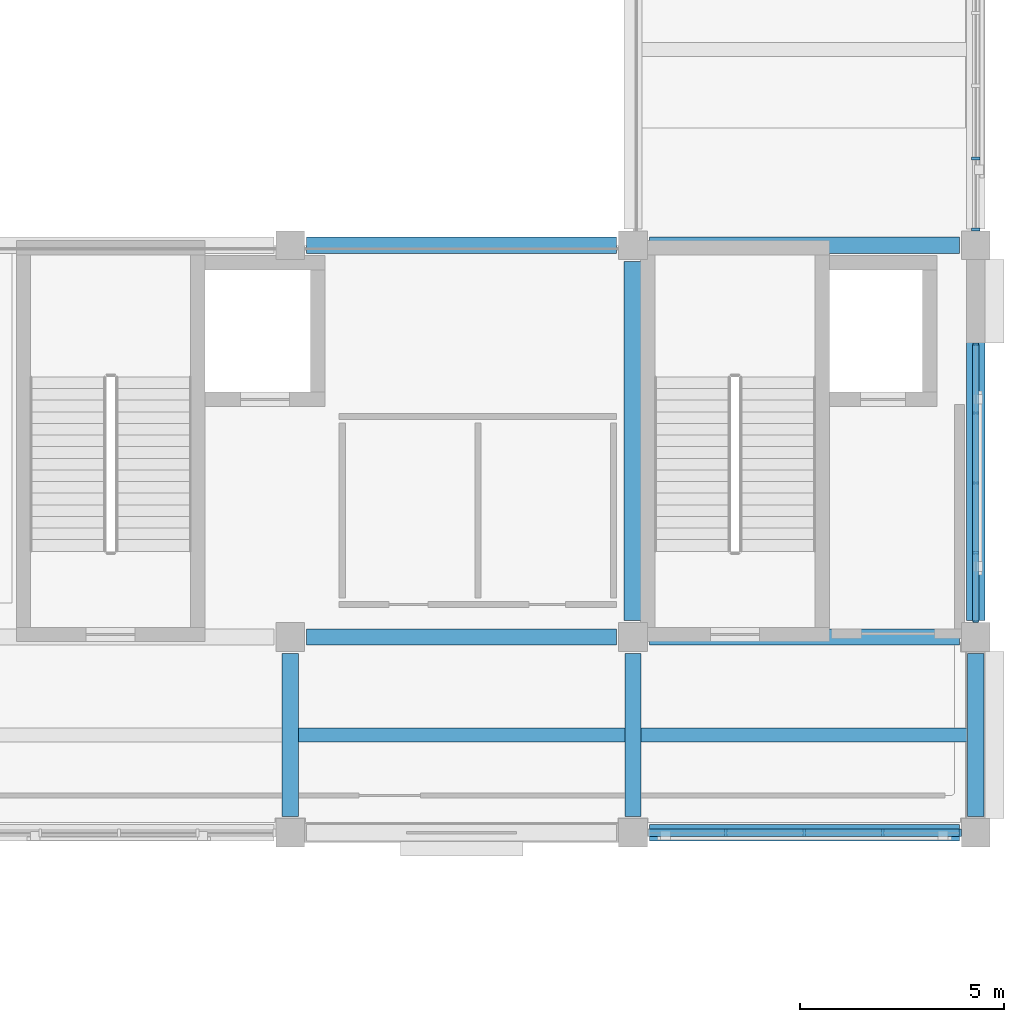
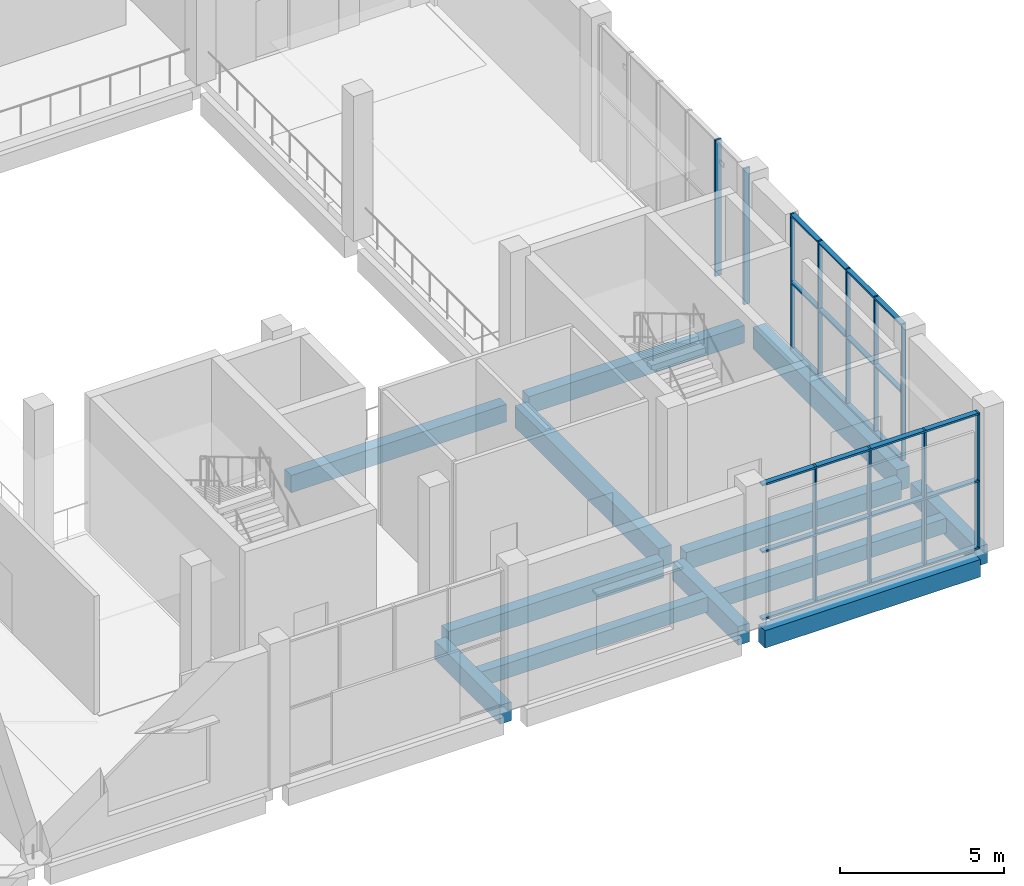
# One storey, part 37 of 83: 17 members, 12 beams, 3 elements without a shape of their own.
"""IFC4 building model written with IfcOpenShell, lengths in metres."""

from ifc_helpers import new_model, si_unit, direction, frame, origin, origin_2d, place, context, subcontext, project, spatial, rectangle, extrude, material, material_profile, profile_set, type_object, element, aggregate, save


model = new_model("IFC4")

# Units and contexts
model_context = context("Model", 3, precision=1e-05, world=origin(), true_north=direction((0.0, 1.0)))
body_context = subcontext(model_context, "Body", "Model", "MODEL_VIEW")
ifc_project = project(units=[si_unit("LENGTHUNIT", "METRE"), si_unit("AREAUNIT", "SQUARE_METRE"), si_unit("VOLUMEUNIT", "CUBIC_METRE"), si_unit("PLANEANGLEUNIT", "RADIAN"), si_unit("MASSUNIT", "GRAM", prefix="KILO")], contexts=[model_context])

# Site, building, storey
site_placement = place(None, origin())
site = spatial("IfcSite", under=ifc_project, at=site_placement, CompositionType="ELEMENT")
building_placement = place(site_placement, origin())
building = spatial("IfcBuilding", under=site, at=building_placement, Name="Shalvenor Court Art Gallery", CompositionType="ELEMENT")
storey_placement = place(building_placement, frame((0.0, 0.0, 6.0)))
storey = spatial("IfcBuildingStorey", under=building, at=storey_placement, Name="L01", CompositionType="ELEMENT", Elevation=6.0)

# Beams
ifc_material_1 = material(Name="Concrete C40/50", Category="concrete")
ifc_material_profile_1 = material_profile(ifc_material_1, rectangle(XDim=0.449951171875, YDim=0.800048828125, at=origin_2d()), Name="RC 450x800")
ifc_profile_set_1 = profile_set([ifc_material_profile_1], Name="Concrete C40/50")
beam_type_1 = type_object("IfcBeamType", Name="B-03", PredefinedType="BEAM", material=ifc_profile_set_1)
for number, where, z_axis, x_axis, name in (
    (1, (168.0, 50.800048828125, -0.719970703125), (0.0, 1.0, 0.0), (-1.0, 0.0, 0.0), "L01 Girder BM-L01-B-03-0476"),
    (2, (176.39990234375, 50.800048828125, -0.719970703125), (0.0, 1.0, 0.0), (-1.0, 0.0, 0.0), "L01 Girder BM-L01-B-03-0482"),
):
    element("IfcBeam", number, at=place(storey_placement, frame(where, z_axis=z_axis, x_axis=x_axis)), inside=storey, type_object=beam_type_1, Name=name, PredefinedType="BEAM", context=body_context, shape_type="SweptSolid", body=[
        extrude(rectangle(XDim=0.449951171875, YDim=0.800048828125, at=origin_2d()), origin(), (0.0, 0.0, 1.0), 8.800048828125),
    ])
ifc_material_2 = material(Name="Concrete C40/50", Category="concrete")
ifc_material_profile_2 = material_profile(ifc_material_2, rectangle(XDim=0.39990234375, YDim=0.699951171875, at=origin_2d()), Name="RC 400x700")
ifc_profile_set_2 = profile_set([ifc_material_profile_2], Name="Concrete C40/50")
beam_type_2 = type_object("IfcBeamType", Name="B-05", PredefinedType="BEAM", material=ifc_profile_set_2)
for number, where, z_axis, x_axis, name in (
    (3, (159.60009765625, 46.0, -0.669921875), (0.0, 1.0, 0.0), (-1.0, 0.0, 0.0), "L01 Girder BM-L01-B-05-0472"),
    (4, (168.0, 46.0, -0.669921875), (0.0, 1.0, 0.0), (-1.0, 0.0, 0.0), "L01 Girder BM-L01-B-05-0475"),
    (5, (176.39990234375, 46.0, -0.669921875), (0.0, 1.0, 0.0), (-1.0, 0.0, 0.0), "L01 Girder BM-L01-B-05-0481"),
):
    element("IfcBeam", number, at=place(storey_placement, frame(where, z_axis=z_axis, x_axis=x_axis)), inside=storey, type_object=beam_type_2, Name=name, PredefinedType="BEAM", context=body_context, shape_type="SweptSolid", body=[
        extrude(rectangle(XDim=0.39990234375, YDim=0.699951171875, at=origin_2d()), origin(), (0.0, 0.0, 1.0), 4.0),
    ])
ifc_material_3 = material(Name="Concrete C40/50", Category="concrete")
ifc_material_profile_3 = material_profile(ifc_material_3, rectangle(XDim=0.39990234375, YDim=0.64990234375, at=origin_2d()), Name="RC 400x650")
ifc_profile_set_3 = profile_set([ifc_material_profile_3], Name="Concrete C40/50")
beam_type_3 = type_object("IfcBeamType", Name="B-06", PredefinedType="BEAM", material=ifc_profile_set_3)
for number, where, z_axis, x_axis, name in (
    (6, (168.39990234375, 45.60009765625, -0.64501953125), (1.0, 0.0, 0.0), (0.0, 1.0, 0.0), "L01 Girder BM-L01-B-06-0541"),
    (7, (160.0, 50.39990234375, -0.64501953125), (1.0, 0.0, 0.0), (0.0, 1.0, 0.0), "L01 Girder BM-L01-B-06-0546"),
    (8, (168.39990234375, 50.39990234375, -0.64501953125), (1.0, 0.0, 0.0), (0.0, 1.0, 0.0), "L01 Girder BM-L01-B-06-0547"),
    (9, (160.0, 60.0, -0.64501953125), (1.0, 0.0, 0.0), (0.0, 1.0, 0.0), "L01 Girder BM-L01-B-06-0554"),
    (10, (168.39990234375, 60.0, -0.64501953125), (1.0, 0.0, 0.0), (0.0, 1.0, 0.0), "L01 Girder BM-L01-B-06-0555"),
):
    element("IfcBeam", number, at=place(storey_placement, frame(where, z_axis=z_axis, x_axis=x_axis)), inside=storey, type_object=beam_type_3, Name=name, PredefinedType="BEAM", context=body_context, shape_type="SweptSolid", body=[
        extrude(rectangle(XDim=0.39990234375, YDim=0.64990234375, at=origin_2d()), origin(), (0.0, 0.0, 1.0), 7.60009765625),
    ])

# Curtain wall, members
ifc_material_4 = material(Name="Anodised aluminium and low-iron glass curtain wall", Category="aluminium")
curtain_wall_type_1 = type_object("IfcCurtainWallType", Name="CW-4x2-77-51-142", PredefinedType="USERDEFINED", material=ifc_material_4)
curtain_wall_1_placement = place(storey_placement, origin())
curtain_wall_1 = element("IfcCurtainWall", 11, at=curtain_wall_1_placement, inside=storey, type_object=curtain_wall_type_1, Name="L01 V1 Curtain Wall CW-L01-008", ObjectType="CURTAIN WALL", PredefinedType="USERDEFINED")
ifc_material_5 = material(Name="Anodised aluminium mullion", Category="aluminium")
ifc_material_profile_4 = material_profile(ifc_material_5, rectangle(XDim=0.06494140625, YDim=0.179931640625, at=origin_2d()), Name="CWM-01")
ifc_profile_set_4 = profile_set([ifc_material_profile_4], Name="Anodised aluminium mullion")
member_type_1 = type_object("IfcMemberType", Name="CWM-01", PredefinedType="MULLION", material=ifc_profile_set_4)
member_1_placement = place(storey_placement, frame((176.017578125, 45.60009765625, 0.0), z_axis=(0.0, 0.0, 1.0), x_axis=(-1.0, 0.0, 0.0)))
member_1 = element("IfcMember", 12, at=member_1_placement, type_object=member_type_1, Name="CW-4x2-77-51-142 mullion 1", PredefinedType="MULLION", context=body_context, shape_type="SweptSolid", body=[
    extrude(rectangle(XDim=0.06494140625, YDim=0.179931640625, at=origin_2d()), origin(), (0.0, 0.0, 1.0), 5.080078125),
])
member_2_placement = place(storey_placement, frame((174.125, 45.60009765625, 0.0), z_axis=(0.0, 0.0, 1.0), x_axis=(-1.0, 0.0, 0.0)))
member_2 = element("IfcMember", 13, at=member_2_placement, type_object=member_type_1, Name="CW-4x2-77-51-142 mullion 2", PredefinedType="MULLION", context=body_context, shape_type="SweptSolid", body=[
    extrude(rectangle(XDim=0.06494140625, YDim=0.179931640625, at=origin_2d()), origin(), (0.0, 0.0, 1.0), 5.080078125),
])
member_3_placement = place(storey_placement, frame((172.199951171875, 45.60009765625, 0.0), z_axis=(0.0, 0.0, 1.0), x_axis=(-1.0, 0.0, 0.0)))
member_3 = element("IfcMember", 14, at=member_3_placement, type_object=member_type_1, Name="CW-4x2-77-51-142 mullion 3", PredefinedType="MULLION", context=body_context, shape_type="SweptSolid", body=[
    extrude(rectangle(XDim=0.06494140625, YDim=0.179931640625, at=origin_2d()), origin(), (0.0, 0.0, 1.0), 5.080078125),
])
member_4_placement = place(storey_placement, frame((170.27490234375, 45.60009765625, 0.0), z_axis=(0.0, 0.0, 1.0), x_axis=(-1.0, 0.0, 0.0)))
member_4 = element("IfcMember", 15, at=member_4_placement, type_object=member_type_1, Name="CW-4x2-77-51-142 mullion 4", PredefinedType="MULLION", context=body_context, shape_type="SweptSolid", body=[
    extrude(rectangle(XDim=0.06494140625, YDim=0.179931640625, at=origin_2d()), origin(), (0.0, 0.0, 1.0), 5.080078125),
])

ifc_material_6 = material(Name="Anodised aluminium and low-iron glass curtain wall", Category="aluminium")
curtain_wall_type_2 = type_object("IfcCurtainWallType", Name="CW-5x2-89-51-412", PredefinedType="USERDEFINED", material=ifc_material_6)
curtain_wall_2_placement = place(storey_placement, origin())
curtain_wall_2 = element("IfcCurtainWall", 16, at=curtain_wall_2_placement, inside=storey, type_object=curtain_wall_type_2, Name="L01 V1 Curtain Wall CW-L01-006", ObjectType="CURTAIN WALL", PredefinedType="USERDEFINED")
ifc_material_7 = material(Name="Anodised aluminium mullion", Category="aluminium")
ifc_material_profile_5 = material_profile(ifc_material_7, rectangle(XDim=0.074951171875, YDim=0.219970703125, at=origin_2d()), Name="CWM-04")
ifc_profile_set_5 = profile_set([ifc_material_profile_5], Name="Anodised aluminium mullion")
member_type_2 = type_object("IfcMemberType", Name="CWM-04", PredefinedType="MULLION", material=ifc_profile_set_5)
member_5_placement = place(storey_placement, frame((176.39990234375, 62.1298828125, 0.0), z_axis=(0.0, 0.0, 1.0), x_axis=(0.0, -1.0, 0.0)))
member_5 = element("IfcMember", 17, at=member_5_placement, type_object=member_type_2, Name="CW-5x2-89-51-412 mullion 5", PredefinedType="MULLION", context=body_context, shape_type="SweptSolid", body=[
    extrude(rectangle(XDim=0.074951171875, YDim=0.219970703125, at=origin_2d()), origin(), (0.0, 0.0, 1.0), 5.080078125),
])
member_6_placement = place(storey_placement, frame((176.39990234375, 60.387451171875, 0.0), z_axis=(0.0, 0.0, 1.0), x_axis=(0.0, -1.0, 0.0)))
member_6 = element("IfcMember", 18, at=member_6_placement, type_object=member_type_2, Name="CW-5x2-89-51-412 mullion 6", PredefinedType="MULLION", context=body_context, shape_type="SweptSolid", body=[
    extrude(rectangle(XDim=0.074951171875, YDim=0.219970703125, at=origin_2d()), origin(), (0.0, 0.0, 1.0), 5.080078125),
])
aggregate(curtain_wall_2, [member_5, member_6])

ifc_material_8 = material(Name="Anodised aluminium and low-iron glass curtain wall", Category="aluminium")
curtain_wall_type_3 = type_object("IfcCurtainWallType", Name="CW-4x2-68-51-622", PredefinedType="USERDEFINED", material=ifc_material_8)
curtain_wall_3_placement = place(storey_placement, origin())
curtain_wall_3 = element("IfcCurtainWall", 19, at=curtain_wall_3_placement, inside=storey, type_object=curtain_wall_type_3, Name="L01 V1 Curtain Wall CW-L01-007", ObjectType="CURTAIN WALL", PredefinedType="USERDEFINED")
ifc_material_9 = material(Name="Anodised aluminium mullion", Category="aluminium")
ifc_material_profile_6 = material_profile(ifc_material_9, rectangle(XDim=0.054931640625, YDim=0.139892578125, at=origin_2d()), Name="CWM-06")
ifc_profile_set_6 = profile_set([ifc_material_profile_6], Name="Anodised aluminium mullion")
member_type_3 = type_object("IfcMemberType", Name="CWM-06", PredefinedType="MULLION", material=ifc_profile_set_6)
member_7_placement = place(storey_placement, frame((176.39990234375, 57.572509765625, 0.0), z_axis=(0.0, 0.0, 1.0), x_axis=(0.0, -1.0, 0.0)))
member_7 = element("IfcMember", 20, at=member_7_placement, type_object=member_type_3, Name="CW-4x2-68-51-622 mullion 1", PredefinedType="MULLION", context=body_context, shape_type="SweptSolid", body=[
    extrude(rectangle(XDim=0.054931640625, YDim=0.139892578125, at=origin_2d()), origin(), (0.0, 0.0, 1.0), 5.080078125),
])
member_8_placement = place(storey_placement, frame((176.39990234375, 55.887451171875, 0.0), z_axis=(0.0, 0.0, 1.0), x_axis=(0.0, -1.0, 0.0)))
member_8 = element("IfcMember", 21, at=member_8_placement, type_object=member_type_3, Name="CW-4x2-68-51-622 mullion 2", PredefinedType="MULLION", context=body_context, shape_type="SweptSolid", body=[
    extrude(rectangle(XDim=0.054931640625, YDim=0.139892578125, at=origin_2d()), origin(), (0.0, 0.0, 1.0), 5.080078125),
])
member_9_placement = place(storey_placement, frame((176.39990234375, 54.175048828125, 0.0), z_axis=(0.0, 0.0, 1.0), x_axis=(0.0, -1.0, 0.0)))
member_9 = element("IfcMember", 22, at=member_9_placement, type_object=member_type_3, Name="CW-4x2-68-51-622 mullion 3", PredefinedType="MULLION", context=body_context, shape_type="SweptSolid", body=[
    extrude(rectangle(XDim=0.054931640625, YDim=0.139892578125, at=origin_2d()), origin(), (0.0, 0.0, 1.0), 5.080078125),
])
member_10_placement = place(storey_placement, frame((176.39990234375, 52.46240234375, 0.0), z_axis=(0.0, 0.0, 1.0), x_axis=(0.0, -1.0, 0.0)))
member_10 = element("IfcMember", 23, at=member_10_placement, type_object=member_type_3, Name="CW-4x2-68-51-622 mullion 4", PredefinedType="MULLION", context=body_context, shape_type="SweptSolid", body=[
    extrude(rectangle(XDim=0.054931640625, YDim=0.139892578125, at=origin_2d()), origin(), (0.0, 0.0, 1.0), 5.080078125),
])
member_11_placement = place(storey_placement, frame((176.39990234375, 50.777587890625, 0.0), z_axis=(0.0, 0.0, 1.0), x_axis=(0.0, -1.0, 0.0)))
member_11 = element("IfcMember", 24, at=member_11_placement, type_object=member_type_3, Name="CW-4x2-68-51-622 mullion 5", PredefinedType="MULLION", context=body_context, shape_type="SweptSolid", body=[
    extrude(rectangle(XDim=0.054931640625, YDim=0.139892578125, at=origin_2d()), origin(), (0.0, 0.0, 1.0), 5.080078125),
])
ifc_material_10 = material(Name="Anodised aluminium transom", Category="aluminium")
ifc_material_profile_7 = material_profile(ifc_material_10, rectangle(XDim=0.169921875, YDim=0.06494140625, at=origin_2d()), Name="CWT-02")
ifc_profile_set_7 = profile_set([ifc_material_profile_7], Name="Anodised aluminium transom")
member_type_4 = type_object("IfcMemberType", Name="CWT-02", PredefinedType="USERDEFINED", material=ifc_profile_set_7)
member_12_placement = place(storey_placement, frame((176.39990234375, 57.572509765625, 0.032470703125), z_axis=(0.0, -1.0, 0.0), x_axis=(1.0, 0.0, 0.0)))
member_12 = element("IfcMember", 25, at=member_12_placement, type_object=member_type_4, Name="CW-4x2-68-51-622 transom 1", ObjectType="TRANSOM", PredefinedType="USERDEFINED", context=body_context, shape_type="SweptSolid", body=[
    extrude(rectangle(XDim=0.169921875, YDim=0.06494140625, at=origin_2d()), origin(), (0.0, 0.0, 1.0), 6.794921875),
])
member_13_placement = place(storey_placement, frame((176.39990234375, 57.572509765625, 2.5400390625), z_axis=(0.0, -1.0, 0.0), x_axis=(1.0, 0.0, 0.0)))
member_13 = element("IfcMember", 26, at=member_13_placement, type_object=member_type_4, Name="CW-4x2-68-51-622 transom 2", ObjectType="TRANSOM", PredefinedType="USERDEFINED", context=body_context, shape_type="SweptSolid", body=[
    extrude(rectangle(XDim=0.169921875, YDim=0.06494140625, at=origin_2d()), origin(), (0.0, 0.0, 1.0), 6.794921875),
])
member_14_placement = place(storey_placement, frame((176.39990234375, 57.572509765625, 5.047607421875), z_axis=(0.0, -1.0, 0.0), x_axis=(1.0, 0.0, 0.0)))
member_14 = element("IfcMember", 27, at=member_14_placement, type_object=member_type_4, Name="CW-4x2-68-51-622 transom 3", ObjectType="TRANSOM", PredefinedType="USERDEFINED", context=body_context, shape_type="SweptSolid", body=[
    extrude(rectangle(XDim=0.169921875, YDim=0.06494140625, at=origin_2d()), origin(), (0.0, 0.0, 1.0), 6.794921875),
])
aggregate(curtain_wall_3, [member_7, member_8, member_9, member_10, member_11, member_12, member_13, member_14])

# Member
ifc_material_11 = material(Name="Anodised aluminium transom", Category="aluminium")
ifc_material_profile_8 = material_profile(ifc_material_11, rectangle(XDim=0.18994140625, YDim=0.070068359375, at=origin_2d()), Name="CWT-04")
ifc_profile_set_8 = profile_set([ifc_material_profile_8], Name="Anodised aluminium transom")
member_type_5 = type_object("IfcMemberType", Name="CWT-04", PredefinedType="USERDEFINED", material=ifc_profile_set_8)
member_15_placement = place(storey_placement, frame((176.017578125, 45.60009765625, 0.034912109375), z_axis=(-1.0, 0.0, 0.0), x_axis=(0.0, -1.0, 0.0)))
member_15 = element("IfcMember", 28, at=member_15_placement, type_object=member_type_5, Name="CW-4x2-77-51-142 transom 1", ObjectType="TRANSOM", PredefinedType="USERDEFINED", context=body_context, shape_type="SweptSolid", body=[
    extrude(rectangle(XDim=0.18994140625, YDim=0.070068359375, at=origin_2d()), origin(), (0.0, 0.0, 1.0), 7.635009765625),
])

member_16_placement = place(storey_placement, frame((176.017578125, 45.60009765625, 2.5400390625), z_axis=(-1.0, 0.0, 0.0), x_axis=(0.0, -1.0, 0.0)))
member_16 = element("IfcMember", 29, at=member_16_placement, type_object=member_type_5, Name="CW-4x2-77-51-142 transom 2", ObjectType="TRANSOM", PredefinedType="USERDEFINED", context=body_context, shape_type="SweptSolid", body=[
    extrude(rectangle(XDim=0.18994140625, YDim=0.070068359375, at=origin_2d()), origin(), (0.0, 0.0, 1.0), 7.635009765625),
])

member_17_placement = place(storey_placement, frame((176.017578125, 45.60009765625, 5.044921875), z_axis=(-1.0, 0.0, 0.0), x_axis=(0.0, -1.0, 0.0)))
member_17 = element("IfcMember", 30, at=member_17_placement, type_object=member_type_5, Name="CW-4x2-77-51-142 transom 3", ObjectType="TRANSOM", PredefinedType="USERDEFINED", context=body_context, shape_type="SweptSolid", body=[
    extrude(rectangle(XDim=0.18994140625, YDim=0.070068359375, at=origin_2d()), origin(), (0.0, 0.0, 1.0), 7.635009765625),
])

aggregate(curtain_wall_1, [member_1, member_2, member_3, member_4, member_15, member_16, member_17])

# Beams
ifc_material_12 = material(Name="Concrete C40/50", Category="concrete")
ifc_material_profile_9 = material_profile(ifc_material_12, rectangle(XDim=0.35009765625, YDim=0.550048828125, at=origin_2d()), Name="RC 350x550")
ifc_profile_set_9 = profile_set([ifc_material_profile_9], Name="Concrete C40/50")
beam_type_4 = type_object("IfcBeamType", Name="J-02", PredefinedType="JOIST", material=ifc_profile_set_9)
for number, where, z_axis, x_axis, name in (
    (31, (159.800048828125, 48.0, -0.594970703125), (1.0, 0.0, 0.0), (0.0, 1.0, 0.0), "L01 Secondary Beam JST-L01-J-02-0680"),
    (32, (168.199951171875, 48.0, -0.594970703125), (1.0, 0.0, 0.0), (0.0, 1.0, 0.0), "L01 Secondary Beam JST-L01-J-02-0683"),
):
    element("IfcBeam", number, at=place(storey_placement, frame(where, z_axis=z_axis, x_axis=x_axis)), inside=storey, type_object=beam_type_4, Name=name, PredefinedType="JOIST", context=body_context, shape_type="SweptSolid", body=[
        extrude(rectangle(XDim=0.35009765625, YDim=0.550048828125, at=origin_2d()), origin(), (0.0, 0.0, 1.0), 8.0),
    ])

save(model, "model.ifc")
